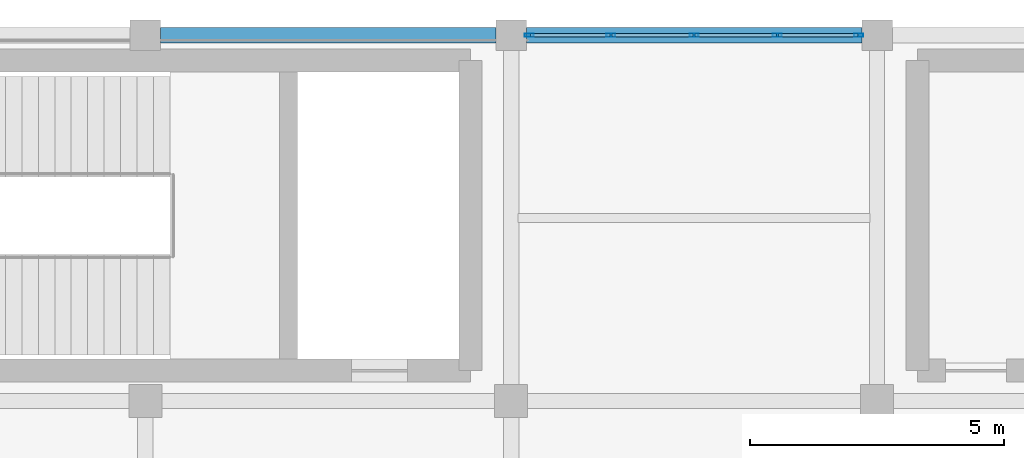
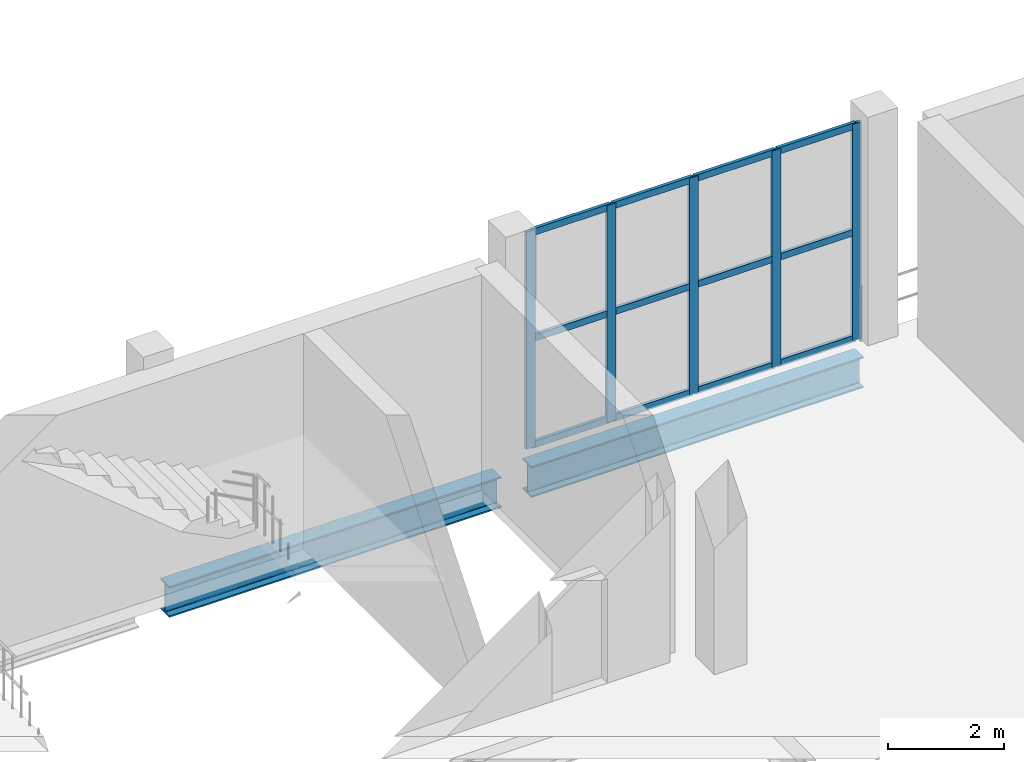
# One storey, part 72 of 105: 17 members, 2 beams, 1 element without a shape of its own.
"""IFC4 building model written with IfcOpenShell, lengths in metres."""

from ifc_helpers import new_model, si_unit, direction, frame, origin, origin_2d, place, context, subcontext, project, spatial, hollow_rectangle, i_section, extrude, material, material_profile, profile_set, type_object, element, aggregate, save


model = new_model("IFC4")

# Units and contexts
model_context = context("Model", 3, precision=1e-05, world=origin(), true_north=direction((0.0, 1.0)))
body_context = subcontext(model_context, "Body", "Model", "MODEL_VIEW")
ifc_project = project(units=[si_unit("LENGTHUNIT", "METRE"), si_unit("AREAUNIT", "SQUARE_METRE"), si_unit("VOLUMEUNIT", "CUBIC_METRE"), si_unit("PLANEANGLEUNIT", "RADIAN"), si_unit("MASSUNIT", "GRAM", prefix="KILO")], contexts=[model_context])

# Site, building, storey
site_placement = place(None, origin())
site = spatial("IfcSite", under=ifc_project, at=site_placement, CompositionType="ELEMENT")
building_placement = place(site_placement, origin())
building = spatial("IfcBuilding", under=site, at=building_placement, Name="Qandorah Velis Arena", CompositionType="ELEMENT")
storey_placement = place(building_placement, frame((0.0, 0.0, 13.800048828125)))
storey = spatial("IfcBuildingStorey", under=building, at=storey_placement, Name="L03", CompositionType="ELEMENT", Elevation=13.800048828125)

# Curtain wall, members
ifc_material_1 = material(Name="Solar-control low-E double glazing", Category="glass")
curtain_wall_type = type_object("IfcCurtainWallType", Name="ARC-CW-SYS18", PredefinedType="USERDEFINED", material=ifc_material_1)
curtain_wall_placement = place(storey_placement, origin())
curtain_wall = element("IfcCurtainWall", 1, at=curtain_wall_placement, inside=storey, type_object=curtain_wall_type, Name="Unitised curtain wall L03-090", ObjectType="UNITISED CURTAIN WALL", PredefinedType="USERDEFINED")
ifc_material_2 = material(Name="Champagne-bronze anodized aluminium 6063-T6", Category="aluminium")
ifc_material_profile_1 = material_profile(ifc_material_2, hollow_rectangle(XDim=0.06494140625, YDim=0.179931640625, WallThickness=0.00341796875, at=origin_2d()), Name="ALU MULLION 65x180")
ifc_profile_set_1 = profile_set([ifc_material_profile_1], Name="Champagne-bronze anodized aluminium 6063-T6")
member_type_1 = type_object("IfcMemberType", Name="ARC-CWM-180", PredefinedType="MULLION", material=ifc_profile_set_1)
member_1_placement = place(storey_placement, frame((86.757568359375, 129.60009765625, -0.01513671875), z_axis=(0.0, 0.0, 1.0), x_axis=(0.0, 1.0, 0.0)))
member_1 = element("IfcMember", 2, at=member_1_placement, type_object=member_type_1, Name="CW18 mullion 1", PredefinedType="MULLION", context=body_context, shape_type="SweptSolid", body=[
    extrude(hollow_rectangle(XDim=0.06494140625, YDim=0.179931640625, WallThickness=0.00341796875, at=origin_2d()), origin(), (0.0, 0.0, 1.0), 4.56005859375),
])
member_2_placement = place(storey_placement, frame((88.362548828125, 129.60009765625, -0.01513671875), z_axis=(0.0, 0.0, 1.0), x_axis=(0.0, 1.0, 0.0)))
member_2 = element("IfcMember", 3, at=member_2_placement, type_object=member_type_1, Name="CW18 mullion 2", PredefinedType="MULLION", context=body_context, shape_type="SweptSolid", body=[
    extrude(hollow_rectangle(XDim=0.06494140625, YDim=0.179931640625, WallThickness=0.00341796875, at=origin_2d()), origin(), (0.0, 0.0, 1.0), 4.56005859375),
])
member_3_placement = place(storey_placement, frame((90.0, 129.60009765625, -0.01513671875), z_axis=(0.0, 0.0, 1.0), x_axis=(0.0, 1.0, 0.0)))
member_3 = element("IfcMember", 4, at=member_3_placement, type_object=member_type_1, Name="CW18 mullion 3", PredefinedType="MULLION", context=body_context, shape_type="SweptSolid", body=[
    extrude(hollow_rectangle(XDim=0.06494140625, YDim=0.179931640625, WallThickness=0.00341796875, at=origin_2d()), origin(), (0.0, 0.0, 1.0), 4.56005859375),
])
member_4_placement = place(storey_placement, frame((91.637451171875, 129.60009765625, -0.01513671875), z_axis=(0.0, 0.0, 1.0), x_axis=(0.0, 1.0, 0.0)))
member_4 = element("IfcMember", 5, at=member_4_placement, type_object=member_type_1, Name="CW18 mullion 4", PredefinedType="MULLION", context=body_context, shape_type="SweptSolid", body=[
    extrude(hollow_rectangle(XDim=0.06494140625, YDim=0.179931640625, WallThickness=0.00341796875, at=origin_2d()), origin(), (0.0, 0.0, 1.0), 4.56005859375),
])
member_5_placement = place(storey_placement, frame((93.242431640625, 129.60009765625, -0.01513671875), z_axis=(0.0, 0.0, 1.0), x_axis=(0.0, 1.0, 0.0)))
member_5 = element("IfcMember", 6, at=member_5_placement, type_object=member_type_1, Name="CW18 mullion 5", PredefinedType="MULLION", context=body_context, shape_type="SweptSolid", body=[
    extrude(hollow_rectangle(XDim=0.06494140625, YDim=0.179931640625, WallThickness=0.00341796875, at=origin_2d()), origin(), (0.0, 0.0, 1.0), 4.56005859375),
])
ifc_material_profile_2 = material_profile(ifc_material_2, hollow_rectangle(XDim=0.06494140625, YDim=0.139892578125, WallThickness=0.0029296875, at=origin_2d()), Name="ALU TRANSOM 65x140")
ifc_profile_set_2 = profile_set([ifc_material_profile_2], Name="Champagne-bronze anodized aluminium 6063-T6")
member_type_2 = type_object("IfcMemberType", Name="ARC-CWT-140", PredefinedType="USERDEFINED", material=ifc_profile_set_2)
member_6_placement = place(storey_placement, frame((86.778076171875, 129.60009765625, 0.032470703125), z_axis=(1.0, 0.0, 0.0), x_axis=(0.0, 1.0, 0.0)))
member_6 = element("IfcMember", 7, at=member_6_placement, type_object=member_type_2, Name="CW18 transom 1.1", ObjectType="TRANSOM", PredefinedType="USERDEFINED", context=body_context, shape_type="SweptSolid", body=[
    extrude(hollow_rectangle(XDim=0.06494140625, YDim=0.139892578125, WallThickness=0.0029296875, at=origin_2d()), origin(), (0.0, 0.0, 1.0), 1.56396484375),
])
member_7_placement = place(storey_placement, frame((86.778076171875, 129.60009765625, 2.264892578125), z_axis=(1.0, 0.0, 0.0), x_axis=(0.0, 1.0, 0.0)))
member_7 = element("IfcMember", 8, at=member_7_placement, type_object=member_type_2, Name="CW18 transom 1.2", ObjectType="TRANSOM", PredefinedType="USERDEFINED", context=body_context, shape_type="SweptSolid", body=[
    extrude(hollow_rectangle(XDim=0.06494140625, YDim=0.139892578125, WallThickness=0.0029296875, at=origin_2d()), origin(), (0.0, 0.0, 1.0), 1.56396484375),
])
member_8_placement = place(storey_placement, frame((86.778076171875, 129.60009765625, 4.49755859375), z_axis=(1.0, 0.0, 0.0), x_axis=(0.0, 1.0, 0.0)))
member_8 = element("IfcMember", 9, at=member_8_placement, type_object=member_type_2, Name="CW18 transom 1.3", ObjectType="TRANSOM", PredefinedType="USERDEFINED", context=body_context, shape_type="SweptSolid", body=[
    extrude(hollow_rectangle(XDim=0.06494140625, YDim=0.139892578125, WallThickness=0.0029296875, at=origin_2d()), origin(), (0.0, 0.0, 1.0), 1.56396484375),
])
member_9_placement = place(storey_placement, frame((88.383056640625, 129.60009765625, 0.032470703125), z_axis=(1.0, 0.0, 0.0), x_axis=(0.0, 1.0, 0.0)))
member_9 = element("IfcMember", 10, at=member_9_placement, type_object=member_type_2, Name="CW18 transom 2.1", ObjectType="TRANSOM", PredefinedType="USERDEFINED", context=body_context, shape_type="SweptSolid", body=[
    extrude(hollow_rectangle(XDim=0.06494140625, YDim=0.139892578125, WallThickness=0.0029296875, at=origin_2d()), origin(), (0.0, 0.0, 1.0), 1.596435546875),
])
member_10_placement = place(storey_placement, frame((88.383056640625, 129.60009765625, 2.264892578125), z_axis=(1.0, 0.0, 0.0), x_axis=(0.0, 1.0, 0.0)))
member_10 = element("IfcMember", 11, at=member_10_placement, type_object=member_type_2, Name="CW18 transom 2.2", ObjectType="TRANSOM", PredefinedType="USERDEFINED", context=body_context, shape_type="SweptSolid", body=[
    extrude(hollow_rectangle(XDim=0.06494140625, YDim=0.139892578125, WallThickness=0.0029296875, at=origin_2d()), origin(), (0.0, 0.0, 1.0), 1.596435546875),
])
member_11_placement = place(storey_placement, frame((88.383056640625, 129.60009765625, 4.49755859375), z_axis=(1.0, 0.0, 0.0), x_axis=(0.0, 1.0, 0.0)))
member_11 = element("IfcMember", 12, at=member_11_placement, type_object=member_type_2, Name="CW18 transom 2.3", ObjectType="TRANSOM", PredefinedType="USERDEFINED", context=body_context, shape_type="SweptSolid", body=[
    extrude(hollow_rectangle(XDim=0.06494140625, YDim=0.139892578125, WallThickness=0.0029296875, at=origin_2d()), origin(), (0.0, 0.0, 1.0), 1.596435546875),
])
member_12_placement = place(storey_placement, frame((90.0205078125, 129.60009765625, 0.032470703125), z_axis=(1.0, 0.0, 0.0), x_axis=(0.0, 1.0, 0.0)))
member_12 = element("IfcMember", 13, at=member_12_placement, type_object=member_type_2, Name="CW18 transom 3.1", ObjectType="TRANSOM", PredefinedType="USERDEFINED", context=body_context, shape_type="SweptSolid", body=[
    extrude(hollow_rectangle(XDim=0.06494140625, YDim=0.139892578125, WallThickness=0.0029296875, at=origin_2d()), origin(), (0.0, 0.0, 1.0), 1.596435546875),
])
member_13_placement = place(storey_placement, frame((90.0205078125, 129.60009765625, 2.264892578125), z_axis=(1.0, 0.0, 0.0), x_axis=(0.0, 1.0, 0.0)))
member_13 = element("IfcMember", 14, at=member_13_placement, type_object=member_type_2, Name="CW18 transom 3.2", ObjectType="TRANSOM", PredefinedType="USERDEFINED", context=body_context, shape_type="SweptSolid", body=[
    extrude(hollow_rectangle(XDim=0.06494140625, YDim=0.139892578125, WallThickness=0.0029296875, at=origin_2d()), origin(), (0.0, 0.0, 1.0), 1.596435546875),
])
member_14_placement = place(storey_placement, frame((90.0205078125, 129.60009765625, 4.49755859375), z_axis=(1.0, 0.0, 0.0), x_axis=(0.0, 1.0, 0.0)))
member_14 = element("IfcMember", 15, at=member_14_placement, type_object=member_type_2, Name="CW18 transom 3.3", ObjectType="TRANSOM", PredefinedType="USERDEFINED", context=body_context, shape_type="SweptSolid", body=[
    extrude(hollow_rectangle(XDim=0.06494140625, YDim=0.139892578125, WallThickness=0.0029296875, at=origin_2d()), origin(), (0.0, 0.0, 1.0), 1.596435546875),
])
member_15_placement = place(storey_placement, frame((91.657958984375, 129.60009765625, 0.032470703125), z_axis=(1.0, 0.0, 0.0), x_axis=(0.0, 1.0, 0.0)))
member_15 = element("IfcMember", 16, at=member_15_placement, type_object=member_type_2, Name="CW18 transom 4.1", ObjectType="TRANSOM", PredefinedType="USERDEFINED", context=body_context, shape_type="SweptSolid", body=[
    extrude(hollow_rectangle(XDim=0.06494140625, YDim=0.139892578125, WallThickness=0.0029296875, at=origin_2d()), origin(), (0.0, 0.0, 1.0), 1.56396484375),
])
member_16_placement = place(storey_placement, frame((91.657958984375, 129.60009765625, 2.264892578125), z_axis=(1.0, 0.0, 0.0), x_axis=(0.0, 1.0, 0.0)))
member_16 = element("IfcMember", 17, at=member_16_placement, type_object=member_type_2, Name="CW18 transom 4.2", ObjectType="TRANSOM", PredefinedType="USERDEFINED", context=body_context, shape_type="SweptSolid", body=[
    extrude(hollow_rectangle(XDim=0.06494140625, YDim=0.139892578125, WallThickness=0.0029296875, at=origin_2d()), origin(), (0.0, 0.0, 1.0), 1.56396484375),
])
member_17_placement = place(storey_placement, frame((91.657958984375, 129.60009765625, 4.49755859375), z_axis=(1.0, 0.0, 0.0), x_axis=(0.0, 1.0, 0.0)))
member_17 = element("IfcMember", 18, at=member_17_placement, type_object=member_type_2, Name="CW18 transom 4.3", ObjectType="TRANSOM", PredefinedType="USERDEFINED", context=body_context, shape_type="SweptSolid", body=[
    extrude(hollow_rectangle(XDim=0.06494140625, YDim=0.139892578125, WallThickness=0.0029296875, at=origin_2d()), origin(), (0.0, 0.0, 1.0), 1.56396484375),
])
aggregate(curtain_wall, [member_1, member_2, member_3, member_4, member_5, member_6, member_7, member_8, member_9, member_10, member_11, member_12, member_13, member_14, member_15, member_16, member_17])

# Beams
ifc_material_3 = material(Name="Steel S355", Category="steel")
ifc_material_profile_3 = material_profile(ifc_material_3, i_section(OverallWidth=0.300048828125, OverallDepth=0.64990234375, WebThickness=0.01611328125, FlangeThickness=0.031005859375, FilletRadius=0.027099609375, at=origin_2d()), Name="HEB 650")
ifc_profile_set_3 = profile_set([ifc_material_profile_3], Name="Steel S355")
beam_type = type_object("IfcBeamType", Name="STR-BM-HEB650", PredefinedType="BEAM", material=ifc_profile_set_3)
for number, where, z_axis, x_axis, name in (
    (19, (79.5, 129.60009765625, -0.64501953125), (1.0, 0.0, 0.0), (0.0, 1.0, 0.0), "Primary floor girder L03 X-173"),
    (20, (86.699951171875, 129.60009765625, -0.64501953125), (1.0, 0.0, 0.0), (0.0, 1.0, 0.0), "Primary floor girder L03 X-174"),
):
    element("IfcBeam", number, at=place(storey_placement, frame(where, z_axis=z_axis, x_axis=x_axis)), inside=storey, type_object=beam_type, Name=name, PredefinedType="BEAM", context=body_context, shape_type="SweptSolid", body=[
        extrude(i_section(OverallWidth=0.300048828125, OverallDepth=0.64990234375, WebThickness=0.01611328125, FlangeThickness=0.031005859375, FilletRadius=0.027099609375, at=origin_2d()), origin(), (0.0, 0.0, 1.0), 6.60009765625),
    ])

save(model, "model.ifc")
